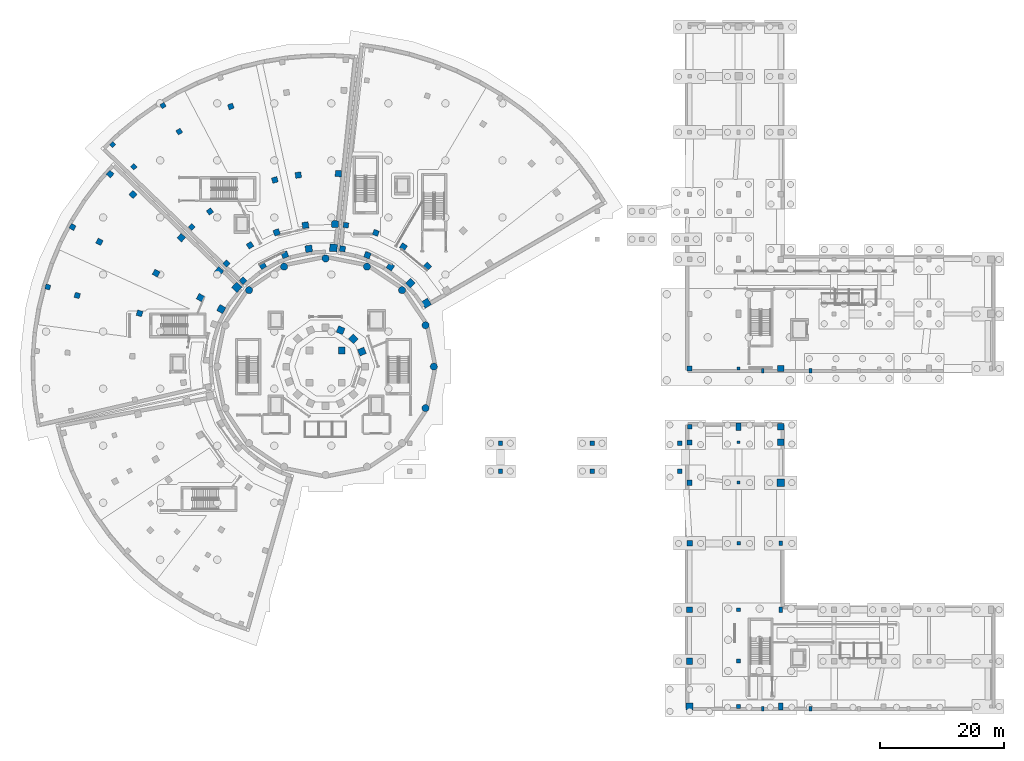
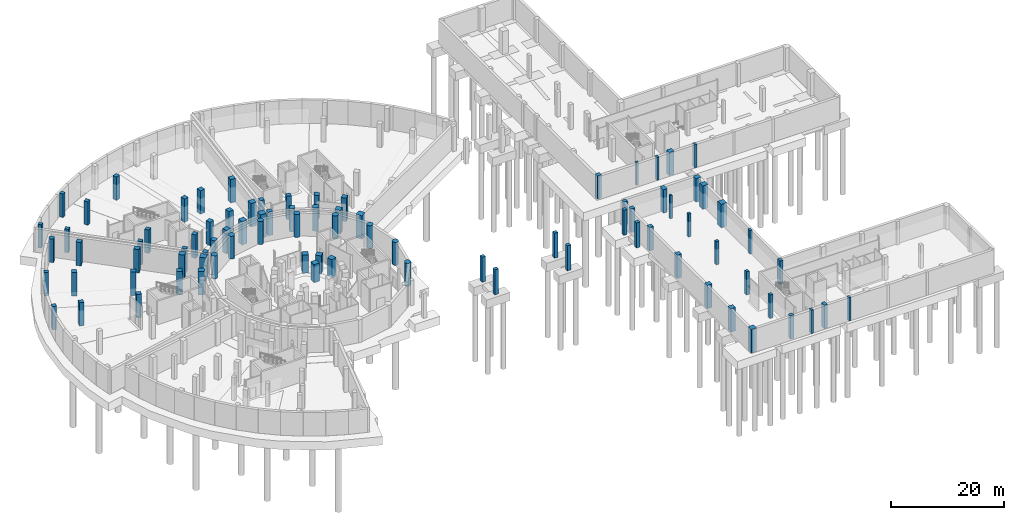
# One storey, part 4 of 33: 87 columns.
"""IFC4 building model written with IfcOpenShell, lengths in metres."""

import ifcopenshell
import ifcopenshell.guid

model = None  # the IFC model being written
_history = None  # IfcOwnerHistory: only IFC2X3 demands one
_inside = {}  # id of a spatial element -> (the spatial element, [elements in it])
_under = {}  # id of a project, library or spatial element -> (it, [spatial elements below it])
_declared = {}  # id of a project -> (the project, [libraries it declares])
_typed = {}  # id of a type object -> (the type object, [elements of that type])
_made_of = {}  # id of a material, layer set ... -> (it, [elements and type objects made of it])


def new_model(schema):
    """Start an empty IFC model of exactly this schema.

    Asked for "IFC4X3", IfcOpenShell would pick the latest addendum, in which some entities
    have other attributes; the version numbers below select the first issue.
    IFC2X3 requires an IfcOwnerHistory on every rooted entity: one is made here for all.
    """
    global model, _history
    if schema == "IFC4X3":
        model = ifcopenshell.file(schema_version=(4, 3, 0, 0))
    else:
        model = ifcopenshell.file(schema=schema)
    _inside.clear()
    _under.clear()
    _declared.clear()
    _typed.clear()
    _made_of.clear()
    _history = None
    if model.schema == "IFC2X3":
        org = make("IfcOrganization", Name="unknown")
        user = make(
            "IfcPersonAndOrganization",
            ThePerson=make("IfcPerson", FamilyName="unknown"),
            TheOrganization=org,
        )
        app = make(
            "IfcApplication",
            ApplicationDeveloper=org,
            Version="unknown",
            ApplicationFullName="unknown",
            ApplicationIdentifier="unknown",
        )
        _history = make(
            "IfcOwnerHistory",
            OwningUser=user,
            OwningApplication=app,
            ChangeAction="ADDED",
            CreationDate=0,
        )
    return model


def make(cls, **values):
    """One entity of the class cls with the attributes given. An attribute that is None is left unset."""
    return model.create_entity(
        cls, **{name: value for name, value in values.items() if value is not None}
    )


def rooted(cls, **values):
    """An entity with a GlobalId (a new one), such as an element, a storey or a relation."""
    return make(cls, GlobalId=ifcopenshell.guid.new(), OwnerHistory=_history, **values)


def si_unit(unit_type, name, prefix=None):
    """IfcSIUnit, for example si_unit("LENGTHUNIT", "METRE", prefix="MILLI")."""
    return make("IfcSIUnit", UnitType=unit_type, Prefix=prefix, Name=name)


def assignment(units):
    """IfcUnitAssignment: the units of a project."""
    return None if units is None else make("IfcUnitAssignment", Units=units)


def point(xyz):
    """IfcCartesianPoint."""
    return None if xyz is None else make("IfcCartesianPoint", Coordinates=xyz)


def direction(xyz):
    """IfcDirection."""
    return None if xyz is None else make("IfcDirection", DirectionRatios=xyz)


def frame(location, z_axis=None, x_axis=None):
    """IfcAxis2Placement3D, a coordinate frame: its origin and axes. An axis left out is left unset."""
    return make(
        "IfcAxis2Placement3D",
        Location=point(location),
        Axis=direction(z_axis),
        RefDirection=direction(x_axis),
    )


def frame_2d(location, x_axis=None):
    """IfcAxis2Placement2D, a coordinate frame in the plane: its origin and x axis."""
    return make(
        "IfcAxis2Placement2D", Location=point(location), RefDirection=direction(x_axis)
    )


def origin():
    """The frame at (0, 0, 0) with its axes left unset."""
    return frame((0.0, 0.0, 0.0))


def origin_2d():
    """The frame at (0, 0) in the plane with its x axis left unset."""
    return frame_2d((0.0, 0.0))


def place(relative_to, where):
    """IfcLocalPlacement: puts the frame where relative to a parent placement (None: the world)."""
    return make(
        "IfcLocalPlacement", PlacementRelTo=relative_to, RelativePlacement=where
    )


def context(
    kind, dimensions, precision=None, world=None, true_north=None, identifier=None
):
    """IfcGeometricRepresentationContext, for example the 3D "Model" context."""
    return make(
        "IfcGeometricRepresentationContext",
        ContextIdentifier=identifier,
        ContextType=kind,
        CoordinateSpaceDimension=dimensions,
        Precision=precision,
        WorldCoordinateSystem=world,
        TrueNorth=true_north,
    )


def subcontext(parent, identifier, kind, view, scale=None):
    """IfcGeometricRepresentationSubContext, for example "Body" below "Model"."""
    return make(
        "IfcGeometricRepresentationSubContext",
        ContextIdentifier=identifier,
        ContextType=kind,
        ParentContext=parent,
        TargetScale=scale,
        TargetView=view,
    )


def project(units=None, contexts=None):
    """IfcProject with its units and contexts."""
    return rooted(
        "IfcProject",
        Name="project",
        RepresentationContexts=contexts,
        UnitsInContext=assignment(units),
    )


def spatial(cls, under=None, at=None, **own):
    """A site, building, storey or space (cls), placed at a placement, below another one or the project."""
    s = rooted(cls, ObjectPlacement=at, **own)
    if under is not None:
        _under.setdefault(under.id(), (under, []))[1].append(s)
    return s


def profile(cls, at=None, kind="AREA", **sizes):
    """A parametric profile (cls). Its sizes go by their IFC names, for example OverallWidth=200.0."""
    return make(cls, ProfileType=kind, Position=at, **sizes)


def rectangle(**sizes):
    """IfcRectangleProfileDef."""
    return profile("IfcRectangleProfileDef", **sizes)


def circle(**sizes):
    """IfcCircleProfileDef."""
    return profile("IfcCircleProfileDef", **sizes)


def extrude(swept, where, along, depth):
    """IfcExtrudedAreaSolid: the profile swept, set in the frame where, extruded along a direction by depth."""
    return make(
        "IfcExtrudedAreaSolid",
        SweptArea=swept,
        Position=where,
        ExtrudedDirection=direction(along),
        Depth=depth,
    )


def shape(context_of_items, identifier, shape_type, items):
    """IfcShapeRepresentation: the items that make up one representation, for example the "Body"."""
    return make(
        "IfcShapeRepresentation",
        ContextOfItems=context_of_items,
        RepresentationIdentifier=identifier,
        RepresentationType=shape_type,
        Items=items,
    )


def material(Name=None, Category=None):
    """IfcMaterial."""
    return make("IfcMaterial", Name=Name, Category=Category)


def material_profile(
    of_material, cross_section, Name=None, Category=None, Priority=None
):
    """IfcMaterialProfile: a cross section and its material."""
    return make(
        "IfcMaterialProfile",
        Name=Name,
        Material=of_material,
        Profile=cross_section,
        Priority=Priority,
        Category=Category,
    )


def profile_set(profiles, Name=None, composite=None):
    """IfcMaterialProfileSet."""
    return make(
        "IfcMaterialProfileSet",
        Name=Name,
        MaterialProfiles=profiles,
        CompositeProfile=composite,
    )


def made_of(thing, what):
    """Note that an element or type object is made of a material, layer set ...; save() writes the relation."""
    if what is not None:
        _made_of.setdefault(what.id(), (what, []))[1].append(thing)
    return thing


def type_object(cls, material=None, **own):
    """A type object (cls), such as IfcWallType, which elements share."""
    return made_of(rooted(cls, **own), material)


def element(
    cls,
    number,
    at=None,
    inside=None,
    cuts=None,
    type_object=None,
    material=None,
    context=None,
    identifier="Body",
    shape_type=None,
    held_by="IfcProductDefinitionShape",
    body=None,
    shapes=None,
    **own,
):
    """One element of the class cls, such as IfcWall. Its Tag is "e" and its number.

    at: its placement. inside: the storey or other place that contains it. cuts: it is an
    opening in that element (IfcRelVoidsElement). A single representation is given by context,
    identifier, shape_type and body (its items); several are given by shapes. held_by: the class
    of the entity that holds the representations. save() writes the other relations.
    """
    e = rooted(cls, Tag="e%d" % number, ObjectPlacement=at, **own)
    if body is not None:
        shapes = [shape(context, identifier, shape_type, body)]
    if shapes is not None:
        e.Representation = make(held_by, Representations=shapes)
    if inside is not None:
        _inside.setdefault(inside.id(), (inside, []))[1].append(e)
    if cuts is not None:
        rooted(
            "IfcRelVoidsElement", RelatingBuildingElement=cuts, RelatedOpeningElement=e
        )
    if type_object is not None:
        _typed.setdefault(type_object.id(), (type_object, []))[1].append(e)
    return made_of(e, material)


def aggregate(whole, parts):
    """IfcRelAggregates: a whole, such as a stair, and the parts it consists of."""
    return rooted("IfcRelAggregates", RelatingObject=whole, RelatedObjects=parts)


def save(model, path):
    """Write the relations noted so far, then the file.

    IfcRelAggregates (storeys below a building ...), IfcRelContainedInSpatialStructure (elements
    in a storey), IfcRelDefinesByType, IfcRelAssociatesMaterial and IfcRelDeclares: one each for
    every whole, place, type object, material and project.
    """
    for whole, parts in _under.values():
        aggregate(whole, parts)
    for where, things in _inside.values():
        rooted(
            "IfcRelContainedInSpatialStructure",
            RelatedElements=things,
            RelatingStructure=where,
        )
    for kind, things in _typed.values():
        rooted("IfcRelDefinesByType", RelatedObjects=things, RelatingType=kind)
    for what, things in _made_of.values():
        rooted("IfcRelAssociatesMaterial", RelatedObjects=things, RelatingMaterial=what)
    for by, libraries in _declared.values():
        rooted("IfcRelDeclares", RelatingContext=by, RelatedDefinitions=libraries)
    model.write(path)


model = new_model("IFC4")

# Units and contexts
model_context = context("Model", 3, precision=1e-05, world=origin(), true_north=direction((0.0, 1.0)))
body_context = subcontext(model_context, "Body", "Model", "MODEL_VIEW")
ifc_project = project(units=[si_unit("LENGTHUNIT", "METRE"), si_unit("AREAUNIT", "SQUARE_METRE"), si_unit("VOLUMEUNIT", "CUBIC_METRE"), si_unit("PLANEANGLEUNIT", "RADIAN"), si_unit("MASSUNIT", "GRAM", prefix="KILO")], contexts=[model_context])

# Site, building, storey
site_placement = place(None, origin())
site = spatial("IfcSite", under=ifc_project, at=site_placement, CompositionType="ELEMENT")
building_placement = place(site_placement, origin())
building = spatial("IfcBuilding", under=site, at=building_placement, Name="Soyqirgoq Riverine Aquarium", CompositionType="ELEMENT")
storey_placement = place(building_placement, frame((0.0, 0.0, -5.39990234375)))
storey = spatial("IfcBuildingStorey", under=building, at=storey_placement, Name="B01", CompositionType="ELEMENT", Elevation=-5.39990234375)

# Columns
ifc_material_1 = material(Name="Waterproof concrete C45/55", Category="concrete")
ifc_material_profile_1 = material_profile(ifc_material_1, circle(Radius=0.574951171875, at=origin_2d()), Name="RC-COL D1150")
ifc_profile_set_1 = profile_set([ifc_material_profile_1], Name="Waterproof concrete C45/55")
column_type_1 = type_object("IfcColumnType", Name="Col_Circ_D1150", PredefinedType="COLUMN", material=ifc_profile_set_1)
for number, where, z_axis, x_axis, name in (
    (1, (73.449951171875, 57.0, 0.0), (0.0, 0.0, 1.0), (1.0, 0.0, 0.0), "V1 Column V1-CO01 B01"),
    (2, (72.12158203125, 63.677734375, 0.0), (0.0, 0.0, 1.0), (0.923879532511, 0.382683432365, 0.0), "V1 Column V1-CO02 B01"),
    (3, (68.339111328125, 69.339111328125, 0.0), (0.0, 0.0, 1.0), (0.707106781187, 0.707106781187, 0.0), "V1 Column V1-CO03 B01"),
    (4, (62.677734375, 73.12158203125, 0.0), (0.0, 0.0, 1.0), (0.382683432365, 0.923879532511, 0.0), "V1 Column V1-CO04 B01"),
    (5, (56.0, 74.449951171875, 0.0), (0.0, 0.0, 1.0), (0.0, 1.0, 0.0), "V1 Column V1-CO05 B01"),
    (6, (49.322265625, 73.12158203125, 0.0), (0.0, 0.0, 1.0), (-0.382683432365, 0.923879532511, 0.0), "V1 Column V1-CO06 B01"),
    (7, (43.660888671875, 69.339111328125, 0.0), (0.0, 0.0, 1.0), (-0.707106781187, 0.707106781187, 0.0), "V1 Column V1-CO07 B01"),
    (8, (72.12158203125, 50.322265625, 0.0), (0.0, 0.0, 1.0), (0.923879532511, -0.382683432365, 0.0), "V1 Column V1-CO16 B01"),
):
    element("IfcColumn", number, at=place(storey_placement, frame(where, z_axis=z_axis, x_axis=x_axis)), inside=storey, type_object=column_type_1, Name=name, PredefinedType="COLUMN", context=body_context, shape_type="SweptSolid", body=[
        extrude(circle(Radius=0.574951171875, at=origin_2d()), origin(), (0.0, 0.0, 1.0), 4.949951171875),
    ])
ifc_material_2 = material(Name="Concrete C40/50", Category="concrete")
ifc_material_profile_2 = material_profile(ifc_material_2, rectangle(XDim=1.0, YDim=1.0, at=origin_2d()), Name="RC 1000x1000")
ifc_profile_set_2 = profile_set([ifc_material_profile_2], Name="Concrete C40/50")
column_type_2 = type_object("IfcColumnType", Name="Col_RC_1000x1000", PredefinedType="COLUMN", material=ifc_profile_set_2)
for number, where, z_axis, x_axis, name in (
    (9, (32.7412109375, 77.7958984375, 0.0), (0.0, 0.0, 1.0), (-0.745475999683, 0.666532470249, 0.0), "V3 Column V3-CR3-01 B01"),
    (10, (35.820556640625, 68.1396484375, 0.0), (0.0, 0.0, 1.0), (-0.875464527, 0.483282383255, 0.0), "V3 Column V3-CR2-02 B01"),
    (11, (58.067626953125, 88.13134765625, 0.0), (0.0, 0.0, 1.0), (0.0662739004, 0.997801468292, 0.0), "V4 Column V4-CR3-01 B01"),
    (12, (52.752197265625, 79.820068359375, 0.0), (0.0, 0.0, 1.0), (-0.140901231938, 0.990023657717, 0.0), "V4 Column V4-CR2-02 B01"),
    (13, (49.43310546875, 75.0419921875, 0.0), (0.0, 0.0, 1.0), (-0.342020143326, 0.939692620786, 0.0), "V4 Column V4-CR1-03 B01"),
    (14, (72.412109375, 73.1845703125, 0.0), (0.0, 0.0, 1.0), (0.712026045991, 0.702153052995, 0.0), "V5 Column V5-CR2-02 B01"),
    (15, (66.45703125, 73.1025390625, 0.0), (0.0, 0.0, 1.0), (0.544639035015, 0.838670567945, 0.0), "V5 Column V5-CR1-03 B01"),
    (16, (114.699951171875, 9.5, 0.0), (0.0, 0.0, 1.0), (1.0, 0.0, 0.0), "V6 Column V6-C-02 B01"),
    (17, (129.39990234375, 47.300048828125, 0.0), (0.0, 0.0, 1.0), (1.0, 0.0, 0.0), "V6 Column V6-C-20 B01"),
):
    element("IfcColumn", number, at=place(storey_placement, frame(where, z_axis=z_axis, x_axis=x_axis)), inside=storey, type_object=column_type_2, Name=name, PredefinedType="COLUMN", context=body_context, shape_type="SweptSolid", body=[
        extrude(rectangle(XDim=1.0, YDim=1.0, at=origin_2d()), origin(), (0.0, 0.0, 1.0), 5.0498046875),
    ])
column_1_placement = place(storey_placement, frame((129.39990234375, 56.699951171875, 0.0), z_axis=(0.0, 0.0, 1.0), x_axis=(1.0, 0.0, 0.0)))
element("IfcColumn", 18, at=column_1_placement, inside=storey, type_object=column_type_2, Name="V7 Column V7-C-15 B01", PredefinedType="COLUMN", context=body_context, shape_type="SweptSolid", body=[
    extrude(rectangle(XDim=1.0, YDim=1.0, at=origin_2d()), origin(), (0.0, 0.0, 1.0), 4.97998046875),
])
ifc_material_3 = material(Name="Waterproof concrete C45/55", Category="concrete")
ifc_material_profile_3 = material_profile(ifc_material_3, rectangle(XDim=1.10009765625, YDim=1.10009765625, at=origin_2d()), Name="RC 1100x1100")
ifc_profile_set_3 = profile_set([ifc_material_profile_3], Name="Waterproof concrete C45/55")
column_type_3 = type_object("IfcColumnType", Name="Col_RC_1100x1100", PredefinedType="COLUMN", material=ifc_profile_set_3)
for number, where, z_axis, x_axis, name in (
    (19, (61.86669921875, 59.429931640625, 0.0), (0.0, 0.0, 1.0), (0.923879532511, 0.382683432365, 0.0), "V1 Column V1-CT02 B01"),
    (20, (60.489990234375, 61.489990234375, 0.0), (0.0, 0.0, 1.0), (0.707106781187, 0.707106781187, 0.0), "V1 Column V1-CT03 B01"),
    (21, (58.429931640625, 62.86669921875, 0.0), (0.0, 0.0, 1.0), (0.382683432365, 0.923879532511, 0.0), "V1 Column V1-CT04 B01"),
    (22, (58.60009765625, 59.60009765625, 0.0), (0.0, 0.0, 1.0), (1.0, 0.0, 0.0), "V1 Column V1-CC03 B01"),
):
    element("IfcColumn", number, at=place(storey_placement, frame(where, z_axis=z_axis, x_axis=x_axis)), inside=storey, type_object=column_type_3, Name=name, PredefinedType="COLUMN", context=body_context, shape_type="SweptSolid", body=[
        extrude(rectangle(XDim=1.10009765625, YDim=1.10009765625, at=origin_2d()), origin(), (0.0, 0.0, 1.0), 3.89990234375),
    ])
for number, where, z_axis, x_axis, name in (
    (23, (38.81689453125, 72.363525390625, 0.0), (0.0, 0.0, 1.0), (-0.745475999683, 0.666532470249, 0.0), "V3 Column V3-CR2-01 B01"),
    (24, (39.191162109375, 66.279052734375, 0.0), (0.0, 0.0, 1.0), (-0.875464527, 0.483282383255, 0.0), "V3 Column V3-CR1-02 B01"),
    (25, (57.527587890625, 79.999267578125, 0.0), (0.0, 0.0, 1.0), (0.0662739004, 0.997801468292, 0.0), "V4 Column V4-CR2-01 B01"),
    (26, (53.294677734375, 76.008544921875, 0.0), (0.0, 0.0, 1.0), (-0.140901231938, 0.990023657717, 0.0), "V4 Column V4-CR1-02 B01"),
    (27, (69.6708984375, 70.481201171875, 0.0), (0.0, 0.0, 1.0), (0.712026045991, 0.702153052995, 0.0), "V5 Column V5-CR1-02 B01"),
    (28, (114.699951171875, 2.199951171875, 0.0), (0.0, 0.0, 1.0), (1.0, 0.0, 0.0), "V6 Column V6-C-01 B01"),
    (29, (129.39990234375, 44.800048828125, 0.0), (0.0, 0.0, 1.0), (1.0, 0.0, 0.0), "V6 Column V6-C-19 B01"),
):
    element("IfcColumn", number, at=place(storey_placement, frame(where, z_axis=z_axis, x_axis=x_axis)), inside=storey, type_object=column_type_3, Name=name, PredefinedType="COLUMN", context=body_context, shape_type="SweptSolid", body=[
        extrude(rectangle(XDim=1.10009765625, YDim=1.10009765625, at=origin_2d()), origin(), (0.0, 0.0, 1.0), 5.0498046875),
    ])
ifc_material_4 = material(Name="Waterproof concrete C45/55", Category="concrete")
ifc_material_profile_4 = material_profile(ifc_material_4, rectangle(XDim=1.199951171875, YDim=1.199951171875, at=origin_2d()), Name="RC 1200x1200")
ifc_profile_set_4 = profile_set([ifc_material_profile_4], Name="Waterproof concrete C45/55")
column_type_4 = type_object("IfcColumnType", Name="Col_RC_1200x1200", PredefinedType="COLUMN", material=ifc_profile_set_4)
for number, where, z_axis, x_axis, name in (
    (30, (41.68701171875, 69.79736328125, 0.0), (0.0, 0.0, 1.0), (-0.745475999683, 0.666532470249, 0.0), "V3 Column V3-CR1-01 B01"),
    (31, (57.2724609375, 76.15771484375, 0.0), (0.0, 0.0, 1.0), (0.0662739004, 0.997801468292, 0.0), "V4 Column V4-CR1-01 B01"),
    (32, (72.246826171875, 67.231201171875, 0.0), (0.0, 0.0, 1.0), (0.846193166128, 0.532876276071, 0.0), "V5 Column V5-CR1-01 B01"),
    (33, (129.39990234375, 38.300048828125, 0.0), (0.0, 0.0, 1.0), (1.0, 0.0, 0.0), "V6 Column V6-C-18 B01"),
):
    element("IfcColumn", number, at=place(storey_placement, frame(where, z_axis=z_axis, x_axis=x_axis)), inside=storey, type_object=column_type_4, Name=name, PredefinedType="COLUMN", context=body_context, shape_type="SweptSolid", body=[
        extrude(rectangle(XDim=1.199951171875, YDim=1.199951171875, at=origin_2d()), origin(), (0.0, 0.0, 1.0), 5.0498046875),
    ])
ifc_material_5 = material(Name="Concrete C40/50", Category="concrete")
ifc_material_profile_5 = material_profile(ifc_material_5, rectangle(XDim=0.449951171875, YDim=0.449951171875, at=origin_2d()), Name="RC 450x450")
ifc_profile_set_5 = profile_set([ifc_material_profile_5], Name="Concrete C40/50")
column_type_5 = type_object("IfcColumnType", Name="Col_RC_450x450", PredefinedType="COLUMN", material=ifc_profile_set_5)
column_2_placement = place(storey_placement, frame((122.60009765625, 44.800048828125, 0.0), z_axis=(0.0, 0.0, 1.0), x_axis=(1.0, 0.0, 0.0)))
element("IfcColumn", 34, at=column_2_placement, inside=storey, type_object=column_type_5, Name="V6 Column V6-C-13 B01", PredefinedType="COLUMN", context=body_context, shape_type="SweptSolid", body=[
    extrude(rectangle(XDim=0.449951171875, YDim=0.449951171875, at=origin_2d()), origin(), (0.0, 0.0, 1.0), 5.0498046875),
])
column_3_placement = place(storey_placement, frame((122.60009765625, 56.699951171875, 0.0), z_axis=(0.0, 0.0, 1.0), x_axis=(1.0, 0.0, 0.0)))
element("IfcColumn", 35, at=column_3_placement, inside=storey, type_object=column_type_5, Name="V7 Column V7-C-08 B01", PredefinedType="COLUMN", context=body_context, shape_type="SweptSolid", body=[
    extrude(rectangle(XDim=0.449951171875, YDim=0.449951171875, at=origin_2d()), origin(), (0.0, 0.0, 1.0), 4.97998046875),
])
ifc_material_6 = material(Name="Concrete C40/50", Category="concrete")
ifc_material_profile_6 = material_profile(ifc_material_6, rectangle(XDim=0.5, YDim=0.5, at=origin_2d()), Name="RC 500x500")
ifc_profile_set_6 = profile_set([ifc_material_profile_6], Name="Concrete C40/50")
column_type_6 = type_object("IfcColumnType", Name="Col_RC_500x500", PredefinedType="COLUMN", material=ifc_profile_set_6)
column_4_placement = place(storey_placement, frame((122.60009765625, 38.300048828125, 0.0), z_axis=(0.0, 0.0, 1.0), x_axis=(1.0, 0.0, 0.0)))
element("IfcColumn", 36, at=column_4_placement, inside=storey, type_object=column_type_6, Name="V6 Column V6-C-12 B01", PredefinedType="COLUMN", context=body_context, shape_type="SweptSolid", body=[
    extrude(rectangle(XDim=0.5, YDim=0.5, at=origin_2d()), origin(), (0.0, 0.0, 1.0), 5.0498046875),
])
ifc_material_7 = material(Name="Concrete C40/50", Category="concrete")
ifc_material_profile_7 = material_profile(ifc_material_7, rectangle(XDim=0.5, YDim=0.75, at=origin_2d()), Name="RC-COL 500x750")
ifc_profile_set_7 = profile_set([ifc_material_profile_7], Name="Concrete C40/50")
column_type_7 = type_object("IfcColumnType", Name="Col_RC_500x750", PredefinedType="COLUMN", material=ifc_profile_set_7)
column_5_placement = place(storey_placement, frame((129.39990234375, 28.5, 0.0), z_axis=(0.0, 0.0, 1.0), x_axis=(1.0, 0.0, 0.0)))
element("IfcColumn", 37, at=column_5_placement, inside=storey, type_object=column_type_7, Name="V6 Column V6-C-17 B01", PredefinedType="COLUMN", context=body_context, shape_type="SweptSolid", body=[
    extrude(rectangle(XDim=0.5, YDim=0.75, at=origin_2d()), origin(), (0.0, 0.0, 1.0), 5.0498046875),
])
ifc_material_8 = material(Name="Concrete C40/50", Category="concrete")
ifc_material_profile_8 = material_profile(ifc_material_8, rectangle(XDim=0.550048828125, YDim=0.550048828125, at=origin_2d()), Name="RC 550x550")
ifc_profile_set_8 = profile_set([ifc_material_profile_8], Name="Concrete C40/50")
column_type_8 = type_object("IfcColumnType", Name="Col_RC_550x550", PredefinedType="COLUMN", material=ifc_profile_set_8)
column_6_placement = place(storey_placement, frame((122.60009765625, 28.5, 0.0), z_axis=(0.0, 0.0, 1.0), x_axis=(1.0, 0.0, 0.0)))
element("IfcColumn", 38, at=column_6_placement, inside=storey, type_object=column_type_8, Name="V6 Column V6-C-11 B01", PredefinedType="COLUMN", context=body_context, shape_type="SweptSolid", body=[
    extrude(rectangle(XDim=0.550048828125, YDim=0.550048828125, at=origin_2d()), origin(), (0.0, 0.0, 1.0), 5.0498046875),
])
ifc_material_9 = material(Name="Concrete C40/50", Category="concrete")
ifc_material_profile_9 = material_profile(ifc_material_9, rectangle(XDim=0.60009765625, YDim=0.60009765625, at=origin_2d()), Name="RC 600x600")
ifc_profile_set_9 = profile_set([ifc_material_profile_9], Name="Concrete C40/50")
column_type_9 = type_object("IfcColumnType", Name="Col_RC_600x600", PredefinedType="COLUMN", material=ifc_profile_set_9)
column_7_placement = place(storey_placement, frame((122.60009765625, 17.800048828125, 0.0), z_axis=(0.0, 0.0, 1.0), x_axis=(1.0, 0.0, 0.0)))
element("IfcColumn", 39, at=column_7_placement, inside=storey, type_object=column_type_9, Name="V6 Column V6-C-10 B01", PredefinedType="COLUMN", context=body_context, shape_type="SweptSolid", body=[
    extrude(rectangle(XDim=0.60009765625, YDim=0.60009765625, at=origin_2d()), origin(), (0.0, 0.0, 1.0), 5.0498046875),
])
ifc_material_10 = material(Name="Concrete C40/50", Category="concrete")
ifc_material_profile_10 = material_profile(ifc_material_10, rectangle(XDim=0.60009765625, YDim=0.89990234375, at=origin_2d()), Name="RC-COL 600x900")
ifc_profile_set_10 = profile_set([ifc_material_profile_10], Name="Concrete C40/50")
column_type_10 = type_object("IfcColumnType", Name="Col_RC_600x900", PredefinedType="COLUMN", material=ifc_profile_set_10)
column_8_placement = place(storey_placement, frame((129.39990234375, 17.800048828125, 0.0), z_axis=(0.0, 0.0, 1.0), x_axis=(1.0, 0.0, 0.0)))
element("IfcColumn", 40, at=column_8_placement, inside=storey, type_object=column_type_10, Name="V6 Column V6-C-16 B01", PredefinedType="COLUMN", context=body_context, shape_type="SweptSolid", body=[
    extrude(rectangle(XDim=0.60009765625, YDim=0.89990234375, at=origin_2d()), origin(), (0.0, 0.0, 1.0), 5.0498046875),
])
ifc_material_11 = material(Name="Concrete C40/50", Category="concrete")
ifc_material_profile_11 = material_profile(ifc_material_11, rectangle(XDim=0.64990234375, YDim=0.64990234375, at=origin_2d()), Name="RC 650x650")
ifc_profile_set_11 = profile_set([ifc_material_profile_11], Name="Concrete C40/50")
column_type_11 = type_object("IfcColumnType", Name="Col_RC_650x650", PredefinedType="COLUMN", material=ifc_profile_set_11)
column_9_placement = place(storey_placement, frame((122.60009765625, 9.5, 0.0), z_axis=(0.0, 0.0, 1.0), x_axis=(1.0, 0.0, 0.0)))
element("IfcColumn", 41, at=column_9_placement, inside=storey, type_object=column_type_11, Name="V6 Column V6-C-09 B01", PredefinedType="COLUMN", context=body_context, shape_type="SweptSolid", body=[
    extrude(rectangle(XDim=0.64990234375, YDim=0.64990234375, at=origin_2d()), origin(), (0.0, 0.0, 1.0), 5.0498046875),
])
ifc_material_12 = material(Name="Concrete C40/50", Category="concrete")
ifc_material_profile_12 = material_profile(ifc_material_12, rectangle(XDim=0.699951171875, YDim=1.050048828125, at=origin_2d()), Name="RC-COL 700x1050")
ifc_profile_set_12 = profile_set([ifc_material_profile_12], Name="Concrete C40/50")
column_type_12 = type_object("IfcColumnType", Name="Col_RC_700x1050", PredefinedType="COLUMN", material=ifc_profile_set_12)
column_10_placement = place(storey_placement, frame((129.39990234375, 2.199951171875, 0.0), z_axis=(0.0, 0.0, 1.0), x_axis=(1.0, 0.0, 0.0)))
element("IfcColumn", 42, at=column_10_placement, inside=storey, type_object=column_type_12, Name="V6 Column V6-C-15 B01", PredefinedType="COLUMN", context=body_context, shape_type="SweptSolid", body=[
    extrude(rectangle(XDim=0.699951171875, YDim=1.050048828125, at=origin_2d()), origin(), (0.0, 0.0, 1.0), 5.0498046875),
])
ifc_material_13 = material(Name="Concrete C40/50", Category="concrete")
ifc_material_profile_13 = material_profile(ifc_material_13, rectangle(XDim=0.699951171875, YDim=0.699951171875, at=origin_2d()), Name="RC 700x700")
ifc_profile_set_13 = profile_set([ifc_material_profile_13], Name="Concrete C40/50")
column_type_13 = type_object("IfcColumnType", Name="Col_RC_700x700", PredefinedType="COLUMN", material=ifc_profile_set_13)
for number, where, z_axis, x_axis, name in (
    (43, (21.669677734375, 92.79931640625, 0.0), (0.0, 0.0, 1.0), (-0.69214317387, 0.721760228098, 0.0), "V4 Column V4-CR5-05 B01"),
    (44, (122.60009765625, 2.199951171875, 0.0), (0.0, 0.0, 1.0), (1.0, 0.0, 0.0), "V6 Column V6-C-08 B01"),
):
    element("IfcColumn", number, at=place(storey_placement, frame(where, z_axis=z_axis, x_axis=x_axis)), inside=storey, type_object=column_type_13, Name=name, PredefinedType="COLUMN", context=body_context, shape_type="SweptSolid", body=[
        extrude(rectangle(XDim=0.699951171875, YDim=0.699951171875, at=origin_2d()), origin(), (0.0, 0.0, 1.0), 5.0498046875),
    ])
for number, where, z_axis, x_axis, name in (
    (45, (84.199951171875, 40.14990234375, 0.0), (0.0, 0.0, 1.0), (1.0, 0.0, 0.0), "Bridge Pier Column BR-1-CP-84-S B01"),
    (46, (84.199951171875, 44.64990234375, 0.0), (0.0, 0.0, 1.0), (1.0, 0.0, 0.0), "Bridge Pier Column BR-1-CP-84-N B01"),
    (47, (99.0, 40.14990234375, 0.0), (0.0, 0.0, 1.0), (1.0, 0.0, 0.0), "Bridge Pier Column BR-1-CP-99-S B01"),
    (48, (99.0, 44.64990234375, 0.0), (0.0, 0.0, 1.0), (1.0, 0.0, 0.0), "Bridge Pier Column BR-1-CP-99-N B01"),
    (49, (113.10009765625, 40.14990234375, 0.0), (0.0, 0.0, 1.0), (1.0, 0.0, 0.0), "Bridge Pier Column BR-1-CP-113-S B01"),
    (50, (113.10009765625, 44.64990234375, 0.0), (0.0, 0.0, 1.0), (1.0, 0.0, 0.0), "Bridge Pier Column BR-1-CP-113-N B01"),
):
    element("IfcColumn", number, at=place(storey_placement, frame(where, z_axis=z_axis, x_axis=x_axis)), inside=storey, type_object=column_type_13, Name=name, PredefinedType="COLUMN", context=body_context, shape_type="SweptSolid", body=[
        extrude(rectangle(XDim=0.699951171875, YDim=0.699951171875, at=origin_2d()), origin(), (0.0, 0.0, 1.0), 5.39990234375),
    ])
ifc_material_14 = material(Name="Concrete C40/50", Category="concrete")
ifc_material_profile_14 = material_profile(ifc_material_14, rectangle(XDim=0.75, YDim=0.75, at=origin_2d()), Name="RC 750x750")
ifc_profile_set_14 = profile_set([ifc_material_profile_14], Name="Concrete C40/50")
column_type_14 = type_object("IfcColumnType", Name="Col_RC_750x750", PredefinedType="COLUMN", material=ifc_profile_set_14)
for number, where, z_axis, x_axis, name in (
    (51, (29.78955078125, 99.10888671875, 0.0), (0.0, 0.0, 1.0), (-0.528438334722, 0.848971687629, 0.0), "V4 Column V4-CR5-04 B01"),
    (52, (25.095703125, 89.2265625, 0.0), (0.0, 0.0, 1.0), (-0.69214317387, 0.721760228098, 0.0), "V4 Column V4-CR4-05 B01"),
    (53, (114.699951171875, 47.300048828125, 0.0), (0.0, 0.0, 1.0), (1.0, 0.0, 0.0), "V6 Column V6-C-07 B01"),
):
    element("IfcColumn", number, at=place(storey_placement, frame(where, z_axis=z_axis, x_axis=x_axis)), inside=storey, type_object=column_type_14, Name=name, PredefinedType="COLUMN", context=body_context, shape_type="SweptSolid", body=[
        extrude(rectangle(XDim=0.75, YDim=0.75, at=origin_2d()), origin(), (0.0, 0.0, 1.0), 5.0498046875),
    ])
ifc_material_15 = material(Name="Concrete C40/50", Category="concrete")
ifc_material_profile_15 = material_profile(ifc_material_15, rectangle(XDim=0.800048828125, YDim=1.199951171875, at=origin_2d()), Name="RC-COL 800x1200")
ifc_profile_set_15 = profile_set([ifc_material_profile_15], Name="Concrete C40/50")
column_type_15 = type_object("IfcColumnType", Name="Col_RC_800x1200", PredefinedType="COLUMN", material=ifc_profile_set_15)
column_11_placement = place(storey_placement, frame((122.60009765625, 47.300048828125, 0.0), z_axis=(0.0, 0.0, 1.0), x_axis=(1.0, 0.0, 0.0)))
element("IfcColumn", 54, at=column_11_placement, inside=storey, type_object=column_type_15, Name="V6 Column V6-C-14 B01", PredefinedType="COLUMN", context=body_context, shape_type="SweptSolid", body=[
    extrude(rectangle(XDim=0.800048828125, YDim=1.199951171875, at=origin_2d()), origin(), (0.0, 0.0, 1.0), 5.0498046875),
])
ifc_material_16 = material(Name="Concrete C40/50", Category="concrete")
ifc_material_profile_16 = material_profile(ifc_material_16, rectangle(XDim=0.800048828125, YDim=0.800048828125, at=origin_2d()), Name="RC 800x800")
ifc_profile_set_16 = profile_set([ifc_material_profile_16], Name="Concrete C40/50")
column_type_16 = type_object("IfcColumnType", Name="Col_RC_800x800", PredefinedType="COLUMN", material=ifc_profile_set_16)
for number, where, z_axis, x_axis, name in (
    (55, (11.205078125, 69.8447265625, 0.0), (0.0, 0.0, 1.0), (-0.961261695938, 0.275637355817, 0.0), "V3 Column V3-CR5-03 B01"),
    (56, (32.4052734375, 94.906494140625, 0.0), (0.0, 0.0, 1.0), (-0.528438334722, 0.848971687629, 0.0), "V4 Column V4-CR4-04 B01"),
    (57, (34.405029296875, 79.518798828125, 0.0), (0.0, 0.0, 1.0), (-0.69214317387, 0.721760228098, 0.0), "V4 Column V4-CR3-05 B01"),
    (58, (114.699951171875, 44.800048828125, 0.0), (0.0, 0.0, 1.0), (1.0, 0.0, 0.0), "V6 Column V6-C-06 B01"),
):
    element("IfcColumn", number, at=place(storey_placement, frame(where, z_axis=z_axis, x_axis=x_axis)), inside=storey, type_object=column_type_16, Name=name, PredefinedType="COLUMN", context=body_context, shape_type="SweptSolid", body=[
        extrude(rectangle(XDim=0.800048828125, YDim=0.800048828125, at=origin_2d()), origin(), (0.0, 0.0, 1.0), 5.0498046875),
    ])
column_12_placement = place(storey_placement, frame((114.699951171875, 56.699951171875, 0.0), z_axis=(0.0, 0.0, 1.0), x_axis=(1.0, 0.0, 0.0)))
element("IfcColumn", 59, at=column_12_placement, inside=storey, type_object=column_type_16, Name="V7 Column V7-C-01 B01", PredefinedType="COLUMN", context=body_context, shape_type="SweptSolid", body=[
    extrude(rectangle(XDim=0.800048828125, YDim=0.800048828125, at=origin_2d()), origin(), (0.0, 0.0, 1.0), 4.97998046875),
])
ifc_material_17 = material(Name="Concrete C40/50", Category="concrete")
ifc_material_profile_17 = material_profile(ifc_material_17, rectangle(XDim=0.85009765625, YDim=0.85009765625, at=origin_2d()), Name="RC 850x850")
ifc_profile_set_17 = profile_set([ifc_material_profile_17], Name="Concrete C40/50")
column_type_17 = type_object("IfcColumnType", Name="Col_RC_850x850", PredefinedType="COLUMN", material=ifc_profile_set_17)
for number, where, z_axis, x_axis, name in (
    (60, (15.203369140625, 79.52099609375, 0.0), (0.0, 0.0, 1.0), (-0.875464527, 0.483282383255, 0.0), "V3 Column V3-CR5-02 B01"),
    (61, (15.96337890625, 68.480224609375, 0.0), (0.0, 0.0, 1.0), (-0.961261695938, 0.275637355817, 0.0), "V3 Column V3-CR4-03 B01"),
    (62, (40.728759765625, 98.957275390625, 0.0), (0.0, 0.0, 1.0), (-0.342020143326, 0.939692620786, 0.0), "V4 Column V4-CR4-03 B01"),
    (63, (37.35400390625, 82.015380859375, 0.0), (0.0, 0.0, 1.0), (-0.597625146976, 0.801775644244, 0.0), "V4 Column V4-CR3-04 B01"),
    (64, (40.046142578125, 73.63671875, 0.0), (0.0, 0.0, 1.0), (-0.69214317387, 0.721760228098, 0.0), "V4 Column V4-CR2-05 B01"),
    (65, (59.28759765625, 79.814208984375, 0.0), (0.0, 0.0, 1.0), (0.142628933706, 0.989776230908, 0.0), "V5 Column V5-CR2-05 B01"),
    (66, (114.699951171875, 38.300048828125, 0.0), (0.0, 0.0, 1.0), (1.0, 0.0, 0.0), "V6 Column V6-C-05 B01"),
):
    element("IfcColumn", number, at=place(storey_placement, frame(where, z_axis=z_axis, x_axis=x_axis)), inside=storey, type_object=column_type_17, Name=name, PredefinedType="COLUMN", context=body_context, shape_type="SweptSolid", body=[
        extrude(rectangle(XDim=0.85009765625, YDim=0.85009765625, at=origin_2d()), origin(), (0.0, 0.0, 1.0), 5.0498046875),
    ])
ifc_material_18 = material(Name="Concrete C40/50", Category="concrete")
ifc_material_profile_18 = material_profile(ifc_material_18, rectangle(XDim=0.89990234375, YDim=0.89990234375, at=origin_2d()), Name="RC 900x900")
ifc_profile_set_18 = profile_set([ifc_material_profile_18], Name="Concrete C40/50")
column_type_18 = type_object("IfcColumnType", Name="Col_RC_900x900", PredefinedType="COLUMN", material=ifc_profile_set_18)
for number, where, z_axis, x_axis, name in (
    (67, (21.2607421875, 88.060302734375, 0.0), (0.0, 0.0, 1.0), (-0.745475999683, 0.666532470249, 0.0), "V3 Column V3-CR5-01 B01"),
    (68, (19.536865234375, 77.128662109375, 0.0), (0.0, 0.0, 1.0), (-0.875464527, 0.483282383255, 0.0), "V3 Column V3-CR4-02 B01"),
    (69, (26.008544921875, 65.599853515625, 0.0), (0.0, 0.0, 1.0), (-0.961261695938, 0.275637355817, 0.0), "V3 Column V3-CR3-03 B01"),
    (70, (47.819580078125, 87.1083984375, 0.0), (0.0, 0.0, 1.0), (-0.262189178641, 0.965016494472, 0.0), "V4 Column V4-CR3-03 B01"),
    (71, (43.819580078125, 76.56884765625, 0.0), (0.0, 0.0, 1.0), (-0.528438334722, 0.848971687629, 0.0), "V4 Column V4-CR2-04 B01"),
    (72, (42.7109375, 70.85791015625, 0.0), (0.0, 0.0, 1.0), (-0.69214317387, 0.721760228098, 0.0), "V4 Column V4-CR1-05 B01"),
    (73, (64.10986328125, 78.576171875, 0.0), (0.0, 0.0, 1.0), (0.351841648405, 0.936059535739, 0.0), "V5 Column V5-CR2-04 B01"),
    (74, (58.738525390625, 76.003662109375, 0.0), (0.0, 0.0, 1.0), (0.142628933706, 0.989776230908, 0.0), "V5 Column V5-CR1-05 B01"),
    (75, (114.699951171875, 28.5, 0.0), (0.0, 0.0, 1.0), (1.0, 0.0, 0.0), "V6 Column V6-C-04 B01"),
):
    element("IfcColumn", number, at=place(storey_placement, frame(where, z_axis=z_axis, x_axis=x_axis)), inside=storey, type_object=column_type_18, Name=name, PredefinedType="COLUMN", context=body_context, shape_type="SweptSolid", body=[
        extrude(rectangle(XDim=0.89990234375, YDim=0.89990234375, at=origin_2d()), origin(), (0.0, 0.0, 1.0), 5.0498046875),
    ])
ifc_material_19 = material(Name="Concrete C40/50", Category="concrete")
ifc_material_profile_19 = material_profile(ifc_material_19, rectangle(XDim=0.949951171875, YDim=0.949951171875, at=origin_2d()), Name="RC 950x950")
ifc_profile_set_19 = profile_set([ifc_material_profile_19], Name="Concrete C40/50")
column_type_19 = type_object("IfcColumnType", Name="Col_RC_950x950", PredefinedType="COLUMN", material=ifc_profile_set_19)
for number, where, z_axis, x_axis, name in (
    (76, (24.950927734375, 84.760986328125, 0.0), (0.0, 0.0, 1.0), (-0.745475999683, 0.666532470249, 0.0), "V3 Column V3-CR4-01 B01"),
    (77, (28.685546875, 72.078369140625, 0.0), (0.0, 0.0, 1.0), (-0.875464527, 0.483282383255, 0.0), "V3 Column V3-CR3-02 B01"),
    (78, (51.60400390625, 87.888671875, 0.0), (0.0, 0.0, 1.0), (-0.140901231938, 0.990023657717, 0.0), "V4 Column V4-CR3-02 B01"),
    (79, (48.116455078125, 78.659912109375, 0.0), (0.0, 0.0, 1.0), (-0.342020143326, 0.939692620786, 0.0), "V4 Column V4-CR2-03 B01"),
    (80, (45.85400390625, 73.30029296875, 0.0), (0.0, 0.0, 1.0), (-0.528438334722, 0.848971687629, 0.0), "V4 Column V4-CR1-04 B01"),
    (81, (68.553955078125, 76.331298828125, 0.0), (0.0, 0.0, 1.0), (0.544639035015, 0.838670567945, 0.0), "V5 Column V5-CR2-03 B01"),
    (82, (62.75537109375, 74.972412109375, 0.0), (0.0, 0.0, 1.0), (0.351841648405, 0.936059535739, 0.0), "V5 Column V5-CR1-04 B01"),
    (83, (114.699951171875, 17.800048828125, 0.0), (0.0, 0.0, 1.0), (1.0, 0.0, 0.0), "V6 Column V6-C-03 B01"),
):
    element("IfcColumn", number, at=place(storey_placement, frame(where, z_axis=z_axis, x_axis=x_axis)), inside=storey, type_object=column_type_19, Name=name, PredefinedType="COLUMN", context=body_context, shape_type="SweptSolid", body=[
        extrude(rectangle(XDim=0.949951171875, YDim=0.949951171875, at=origin_2d()), origin(), (0.0, 0.0, 1.0), 5.0498046875),
    ])
ifc_material_20 = material(Name="Concrete C40/50", Category="concrete")
ifc_material_profile_20 = material_profile(ifc_material_20, rectangle(XDim=0.449951171875, YDim=0.699951171875, at=origin_2d()), Name="RC-PIL 450x700")
ifc_profile_set_20 = profile_set([ifc_material_profile_20], Name="Concrete C40/50")
column_type_20 = type_object("IfcColumnType", Name="Pilaster_450x700", PredefinedType="PILASTER", material=ifc_profile_set_20)
column_13_placement = place(storey_placement, frame((126.5, 1.85009765625, 0.0), z_axis=(0.0, 0.0, 1.0), x_axis=(1.0, 0.0, 0.0)))
element("IfcColumn", 84, at=column_13_placement, inside=storey, type_object=column_type_20, Name="V6 Facade Pilaster PIL-V6-01 B01", PredefinedType="PILASTER", context=body_context, shape_type="SweptSolid", body=[
    extrude(rectangle(XDim=0.449951171875, YDim=0.699951171875, at=origin_2d()), origin(), (0.0, 0.0, 1.0), 5.0498046875),
])
column_14_placement = place(storey_placement, frame((126.5, 56.35009765625, 0.0), z_axis=(0.0, 0.0, 1.0), x_axis=(1.0, 0.0, 0.0)))
element("IfcColumn", 85, at=column_14_placement, inside=storey, type_object=column_type_20, Name="V7 Facade Pilaster PIL-V7-02 B01", PredefinedType="PILASTER", context=body_context, shape_type="SweptSolid", body=[
    extrude(rectangle(XDim=0.449951171875, YDim=0.699951171875, at=origin_2d()), origin(), (0.0, 0.0, 1.0), 4.97998046875),
])
column_15_placement = place(storey_placement, frame((134.199951171875, 1.85009765625, 0.0), z_axis=(0.0, 0.0, 1.0), x_axis=(1.0, 0.0, 0.0)))
element("IfcColumn", 86, at=column_15_placement, inside=storey, type_object=column_type_20, Name="V6 Facade Pilaster PIL-V6-03 B01", PredefinedType="PILASTER", context=body_context, shape_type="SweptSolid", body=[
    extrude(rectangle(XDim=0.449951171875, YDim=0.699951171875, at=origin_2d()), origin(), (0.0, 0.0, 1.0), 5.0498046875),
])
column_16_placement = place(storey_placement, frame((134.199951171875, 56.35009765625, 0.0), z_axis=(0.0, 0.0, 1.0), x_axis=(1.0, 0.0, 0.0)))
element("IfcColumn", 87, at=column_16_placement, inside=storey, type_object=column_type_20, Name="V7 Facade Pilaster PIL-V7-04 B01", PredefinedType="PILASTER", context=body_context, shape_type="SweptSolid", body=[
    extrude(rectangle(XDim=0.449951171875, YDim=0.699951171875, at=origin_2d()), origin(), (0.0, 0.0, 1.0), 4.97998046875),
])

save(model, "model.ifc")
